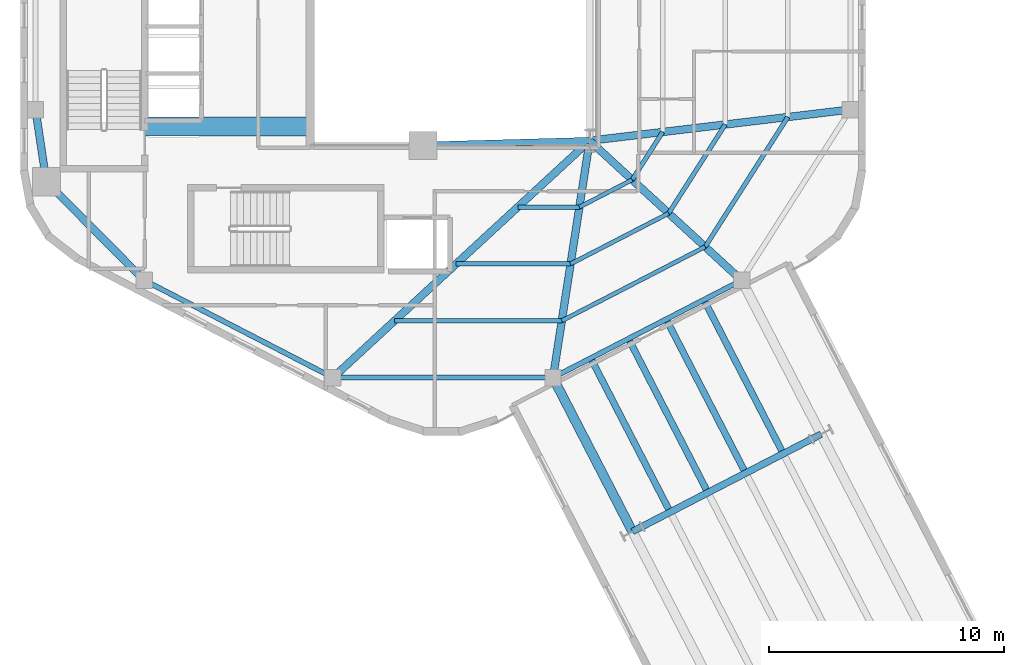
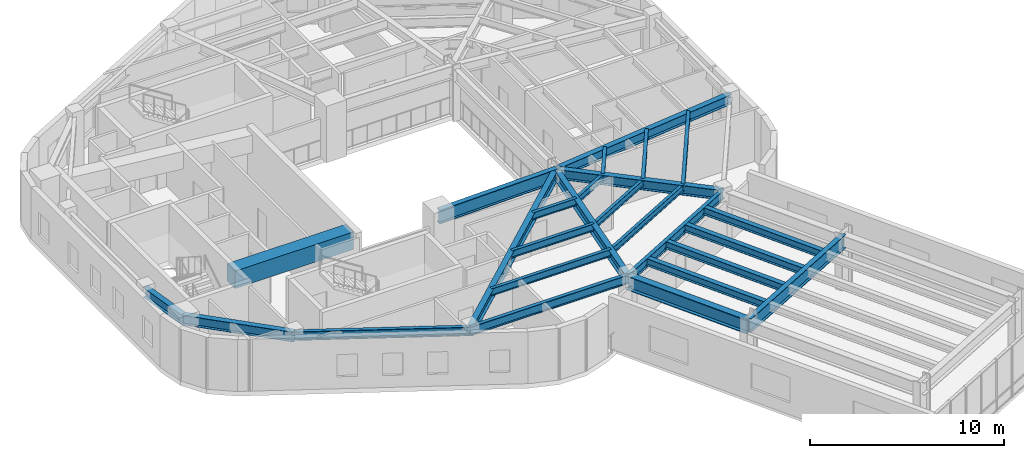
# One storey, part 3 of 10: 26 beams.
"""IFC4 building model written with IfcOpenShell, lengths in metres."""

import ifcopenshell
import ifcopenshell.guid

model = None  # the IFC model being written
_history = None  # IfcOwnerHistory: only IFC2X3 demands one
_inside = {}  # id of a spatial element -> (the spatial element, [elements in it])
_under = {}  # id of a project, library or spatial element -> (it, [spatial elements below it])
_declared = {}  # id of a project -> (the project, [libraries it declares])
_typed = {}  # id of a type object -> (the type object, [elements of that type])
_made_of = {}  # id of a material, layer set ... -> (it, [elements and type objects made of it])


def new_model(schema):
    """Start an empty IFC model of exactly this schema.

    Asked for "IFC4X3", IfcOpenShell would pick the latest addendum, in which some entities
    have other attributes; the version numbers below select the first issue.
    IFC2X3 requires an IfcOwnerHistory on every rooted entity: one is made here for all.
    """
    global model, _history
    if schema == "IFC4X3":
        model = ifcopenshell.file(schema_version=(4, 3, 0, 0))
    else:
        model = ifcopenshell.file(schema=schema)
    _inside.clear()
    _under.clear()
    _declared.clear()
    _typed.clear()
    _made_of.clear()
    _history = None
    if model.schema == "IFC2X3":
        org = make("IfcOrganization", Name="unknown")
        user = make(
            "IfcPersonAndOrganization",
            ThePerson=make("IfcPerson", FamilyName="unknown"),
            TheOrganization=org,
        )
        app = make(
            "IfcApplication",
            ApplicationDeveloper=org,
            Version="unknown",
            ApplicationFullName="unknown",
            ApplicationIdentifier="unknown",
        )
        _history = make(
            "IfcOwnerHistory",
            OwningUser=user,
            OwningApplication=app,
            ChangeAction="ADDED",
            CreationDate=0,
        )
    return model


def make(cls, **values):
    """One entity of the class cls with the attributes given. An attribute that is None is left unset."""
    return model.create_entity(
        cls, **{name: value for name, value in values.items() if value is not None}
    )


def rooted(cls, **values):
    """An entity with a GlobalId (a new one), such as an element, a storey or a relation."""
    return make(cls, GlobalId=ifcopenshell.guid.new(), OwnerHistory=_history, **values)


def si_unit(unit_type, name, prefix=None):
    """IfcSIUnit, for example si_unit("LENGTHUNIT", "METRE", prefix="MILLI")."""
    return make("IfcSIUnit", UnitType=unit_type, Prefix=prefix, Name=name)


def assignment(units):
    """IfcUnitAssignment: the units of a project."""
    return None if units is None else make("IfcUnitAssignment", Units=units)


def point(xyz):
    """IfcCartesianPoint."""
    return None if xyz is None else make("IfcCartesianPoint", Coordinates=xyz)


def direction(xyz):
    """IfcDirection."""
    return None if xyz is None else make("IfcDirection", DirectionRatios=xyz)


def frame(location, z_axis=None, x_axis=None):
    """IfcAxis2Placement3D, a coordinate frame: its origin and axes. An axis left out is left unset."""
    return make(
        "IfcAxis2Placement3D",
        Location=point(location),
        Axis=direction(z_axis),
        RefDirection=direction(x_axis),
    )


def frame_2d(location, x_axis=None):
    """IfcAxis2Placement2D, a coordinate frame in the plane: its origin and x axis."""
    return make(
        "IfcAxis2Placement2D", Location=point(location), RefDirection=direction(x_axis)
    )


def origin():
    """The frame at (0, 0, 0) with its axes left unset."""
    return frame((0.0, 0.0, 0.0))


def origin_2d():
    """The frame at (0, 0) in the plane with its x axis left unset."""
    return frame_2d((0.0, 0.0))


def place(relative_to, where):
    """IfcLocalPlacement: puts the frame where relative to a parent placement (None: the world)."""
    return make(
        "IfcLocalPlacement", PlacementRelTo=relative_to, RelativePlacement=where
    )


def context(
    kind, dimensions, precision=None, world=None, true_north=None, identifier=None
):
    """IfcGeometricRepresentationContext, for example the 3D "Model" context."""
    return make(
        "IfcGeometricRepresentationContext",
        ContextIdentifier=identifier,
        ContextType=kind,
        CoordinateSpaceDimension=dimensions,
        Precision=precision,
        WorldCoordinateSystem=world,
        TrueNorth=true_north,
    )


def subcontext(parent, identifier, kind, view, scale=None):
    """IfcGeometricRepresentationSubContext, for example "Body" below "Model"."""
    return make(
        "IfcGeometricRepresentationSubContext",
        ContextIdentifier=identifier,
        ContextType=kind,
        ParentContext=parent,
        TargetScale=scale,
        TargetView=view,
    )


def project(units=None, contexts=None):
    """IfcProject with its units and contexts."""
    return rooted(
        "IfcProject",
        Name="project",
        RepresentationContexts=contexts,
        UnitsInContext=assignment(units),
    )


def spatial(cls, under=None, at=None, **own):
    """A site, building, storey or space (cls), placed at a placement, below another one or the project."""
    s = rooted(cls, ObjectPlacement=at, **own)
    if under is not None:
        _under.setdefault(under.id(), (under, []))[1].append(s)
    return s


def profile(cls, at=None, kind="AREA", **sizes):
    """A parametric profile (cls). Its sizes go by their IFC names, for example OverallWidth=200.0."""
    return make(cls, ProfileType=kind, Position=at, **sizes)


def rectangle(**sizes):
    """IfcRectangleProfileDef."""
    return profile("IfcRectangleProfileDef", **sizes)


def i_section(**sizes):
    """IfcIShapeProfileDef."""
    return profile("IfcIShapeProfileDef", **sizes)


def extrude(swept, where, along, depth):
    """IfcExtrudedAreaSolid: the profile swept, set in the frame where, extruded along a direction by depth."""
    return make(
        "IfcExtrudedAreaSolid",
        SweptArea=swept,
        Position=where,
        ExtrudedDirection=direction(along),
        Depth=depth,
    )


def shape(context_of_items, identifier, shape_type, items):
    """IfcShapeRepresentation: the items that make up one representation, for example the "Body"."""
    return make(
        "IfcShapeRepresentation",
        ContextOfItems=context_of_items,
        RepresentationIdentifier=identifier,
        RepresentationType=shape_type,
        Items=items,
    )


def material(Name=None, Category=None):
    """IfcMaterial."""
    return make("IfcMaterial", Name=Name, Category=Category)


def material_profile(
    of_material, cross_section, Name=None, Category=None, Priority=None
):
    """IfcMaterialProfile: a cross section and its material."""
    return make(
        "IfcMaterialProfile",
        Name=Name,
        Material=of_material,
        Profile=cross_section,
        Priority=Priority,
        Category=Category,
    )


def profile_set(profiles, Name=None, composite=None):
    """IfcMaterialProfileSet."""
    return make(
        "IfcMaterialProfileSet",
        Name=Name,
        MaterialProfiles=profiles,
        CompositeProfile=composite,
    )


def made_of(thing, what):
    """Note that an element or type object is made of a material, layer set ...; save() writes the relation."""
    if what is not None:
        _made_of.setdefault(what.id(), (what, []))[1].append(thing)
    return thing


def type_object(cls, material=None, **own):
    """A type object (cls), such as IfcWallType, which elements share."""
    return made_of(rooted(cls, **own), material)


def element(
    cls,
    number,
    at=None,
    inside=None,
    cuts=None,
    type_object=None,
    material=None,
    context=None,
    identifier="Body",
    shape_type=None,
    held_by="IfcProductDefinitionShape",
    body=None,
    shapes=None,
    **own,
):
    """One element of the class cls, such as IfcWall. Its Tag is "e" and its number.

    at: its placement. inside: the storey or other place that contains it. cuts: it is an
    opening in that element (IfcRelVoidsElement). A single representation is given by context,
    identifier, shape_type and body (its items); several are given by shapes. held_by: the class
    of the entity that holds the representations. save() writes the other relations.
    """
    e = rooted(cls, Tag="e%d" % number, ObjectPlacement=at, **own)
    if body is not None:
        shapes = [shape(context, identifier, shape_type, body)]
    if shapes is not None:
        e.Representation = make(held_by, Representations=shapes)
    if inside is not None:
        _inside.setdefault(inside.id(), (inside, []))[1].append(e)
    if cuts is not None:
        rooted(
            "IfcRelVoidsElement", RelatingBuildingElement=cuts, RelatedOpeningElement=e
        )
    if type_object is not None:
        _typed.setdefault(type_object.id(), (type_object, []))[1].append(e)
    return made_of(e, material)


def aggregate(whole, parts):
    """IfcRelAggregates: a whole, such as a stair, and the parts it consists of."""
    return rooted("IfcRelAggregates", RelatingObject=whole, RelatedObjects=parts)


def save(model, path):
    """Write the relations noted so far, then the file.

    IfcRelAggregates (storeys below a building ...), IfcRelContainedInSpatialStructure (elements
    in a storey), IfcRelDefinesByType, IfcRelAssociatesMaterial and IfcRelDeclares: one each for
    every whole, place, type object, material and project.
    """
    for whole, parts in _under.values():
        aggregate(whole, parts)
    for where, things in _inside.values():
        rooted(
            "IfcRelContainedInSpatialStructure",
            RelatedElements=things,
            RelatingStructure=where,
        )
    for kind, things in _typed.values():
        rooted("IfcRelDefinesByType", RelatedObjects=things, RelatingType=kind)
    for what, things in _made_of.values():
        rooted("IfcRelAssociatesMaterial", RelatedObjects=things, RelatingMaterial=what)
    for by, libraries in _declared.values():
        rooted("IfcRelDeclares", RelatingContext=by, RelatedDefinitions=libraries)
    model.write(path)


model = new_model("IFC4")

# Units and contexts
model_context = context("Model", 3, precision=1e-05, world=origin(), true_north=direction((0.0, 1.0)))
body_context = subcontext(model_context, "Body", "Model", "MODEL_VIEW")
ifc_project = project(units=[si_unit("LENGTHUNIT", "METRE"), si_unit("AREAUNIT", "SQUARE_METRE"), si_unit("VOLUMEUNIT", "CUBIC_METRE"), si_unit("PLANEANGLEUNIT", "RADIAN"), si_unit("MASSUNIT", "GRAM", prefix="KILO"), si_unit("THERMODYNAMICTEMPERATUREUNIT", "KELVIN"), si_unit("POWERUNIT", "WATT")], contexts=[model_context])

# Site, building, storey
site_placement = place(None, origin())
site = spatial("IfcSite", under=ifc_project, at=site_placement, CompositionType="ELEMENT")
building_placement = place(site_placement, origin())
building = spatial("IfcBuilding", under=site, at=building_placement, Name="Skarre Station Tower", CompositionType="ELEMENT")
storey_placement = place(building_placement, frame((0.0, 0.0, 234.800048828125)))
storey = spatial("IfcBuildingStorey", under=building, at=storey_placement, Name="L64", CompositionType="ELEMENT", Elevation=234.800048828125)

# Beams
ifc_material_1 = material(Name="Concrete C70/85", Category="concrete")
ifc_material_profile_1 = material_profile(ifc_material_1, rectangle(XDim=0.800048828125, YDim=1.10009765625, at=origin_2d()), Name="Concrete C70/85")
ifc_profile_set_1 = profile_set([ifc_material_profile_1], Name="Concrete C70/85")
beam_type_1 = type_object("IfcBeamType", Name="RC Core Coupling Lintel 800x1100", PredefinedType="LINTEL", material=ifc_profile_set_1)
beam_1_placement = place(storey_placement, frame((20.489990234375, 19.260009765625, 2.7099609375), z_axis=(1.0, 0.0, 0.0), x_axis=(0.0, 1.0, 0.0)))
element("IfcBeam", 1, at=beam_1_placement, inside=storey, type_object=beam_type_1, Name="L64 South Core Coupling Lintel", PredefinedType="LINTEL", context=body_context, shape_type="SweptSolid", body=[
    extrude(rectangle(XDim=0.800048828125, YDim=1.10009765625, at=origin_2d()), origin(), (0.0, 0.0, 1.0), 7.06005859375),
])
ifc_material_2 = material(Name="Steel ASTM A992 Grade 50", Category="steel")
ifc_material_profile_2 = material_profile(ifc_material_2, i_section(OverallWidth=0.323974609375, OverallDepth=0.611083984375, WebThickness=0.012939453125, FlangeThickness=0.01904296875, at=origin_2d()), Name="Steel ASTM A992 Grade 50")
ifc_profile_set_2 = profile_set([ifc_material_profile_2], Name="Steel ASTM A992 Grade 50")
beam_type_2 = type_object("IfcBeamType", Name="Steel Beam W24X104", PredefinedType="BEAM", material=ifc_profile_set_2)
beam_2_placement = place(storey_placement, frame((16.300048828125, 16.89990234375, 2.954833984375), z_axis=(-0.148739188492, 0.988876460336, 0.0), x_axis=(-0.988876460336, -0.148739188492, 0.0)))
element("IfcBeam", 2, at=beam_2_placement, inside=storey, type_object=beam_type_2, Name="L64 Radial Floor Girder F2C2", PredefinedType="BEAM", context=body_context, shape_type="SweptSolid", body=[
    extrude(i_section(OverallWidth=0.323974609375, OverallDepth=0.611083984375, WebThickness=0.012939453125, FlangeThickness=0.01904296875, at=origin_2d()), origin(), (0.0, 0.0, 1.0), 3.11376953125),
])
beam_3_placement = place(storey_placement, frame((16.300048828125, 16.89990234375, 2.954833984375), z_axis=(0.704979413242, -0.709227768002, 0.0), x_axis=(0.709227768002, 0.704979413242, 0.0)))
element("IfcBeam", 3, at=beam_3_placement, inside=storey, type_object=beam_type_2, Name="L64 Radial Floor Girder F3C1", PredefinedType="BEAM", context=body_context, shape_type="SweptSolid", body=[
    extrude(i_section(OverallWidth=0.323974609375, OverallDepth=0.611083984375, WebThickness=0.012939453125, FlangeThickness=0.01904296875, at=origin_2d()), origin(), (0.0, 0.0, 1.0), 5.919189453125),
])
beam_4_placement = place(storey_placement, frame((39.449951171875, 18.64990234375, 2.954833984375), z_axis=(-0.734822935818, -0.678258986668, 0.0), x_axis=(0.678258986668, -0.734822935818, 0.0)))
element("IfcBeam", 4, at=beam_4_placement, inside=storey, type_object=beam_type_2, Name="L64 Radial Floor Girder F3C2", PredefinedType="BEAM", context=body_context, shape_type="SweptSolid", body=[
    extrude(i_section(OverallWidth=0.323974609375, OverallDepth=0.611083984375, WebThickness=0.012939453125, FlangeThickness=0.01904296875, at=origin_2d()), origin(), (0.0, 0.0, 1.0), 14.886474609375),
])
beam_5_placement = place(storey_placement, frame((39.449951171875, 18.64990234375, 2.954833984375), z_axis=(-0.152789762931, -0.988258715288, 0.0), x_axis=(0.988258715288, -0.152789762931, 0.0)))
element("IfcBeam", 5, at=beam_5_placement, inside=storey, type_object=beam_type_2, Name="L64 Radial Floor Girder F4C1", PredefinedType="BEAM", context=body_context, shape_type="SweptSolid", body=[
    extrude(i_section(OverallWidth=0.323974609375, OverallDepth=0.611083984375, WebThickness=0.012939453125, FlangeThickness=0.01904296875, at=origin_2d()), origin(), (0.0, 0.0, 1.0), 10.216796875),
])
beam_6_placement = place(storey_placement, frame((39.449951171875, 18.64990234375, 2.954833984375), z_axis=(0.736547671183, -0.676385635621, 0.0), x_axis=(0.676385635621, 0.736547671183, 0.0)))
element("IfcBeam", 6, at=beam_6_placement, inside=storey, type_object=beam_type_2, Name="L64 Radial Floor Girder F4C2", PredefinedType="BEAM", context=body_context, shape_type="SweptSolid", body=[
    extrude(i_section(OverallWidth=0.323974609375, OverallDepth=0.611083984375, WebThickness=0.012939453125, FlangeThickness=0.01904296875, at=origin_2d()), origin(), (0.0, 0.0, 1.0), 8.793701171875),
])
beam_7_placement = place(storey_placement, frame((39.449951171875, 18.64990234375, 2.954833984375), z_axis=(0.99292393128, 0.118752122891, 0.0), x_axis=(-0.118752122891, 0.99292393128, 0.0)))
element("IfcBeam", 7, at=beam_7_placement, inside=storey, type_object=beam_type_2, Name="L64 Radial Floor Girder F5C1", PredefinedType="BEAM", context=body_context, shape_type="SweptSolid", body=[
    extrude(i_section(OverallWidth=0.323974609375, OverallDepth=0.611083984375, WebThickness=0.012939453125, FlangeThickness=0.01904296875, at=origin_2d()), origin(), (0.0, 0.0, 1.0), 11.192138671875),
])
ifc_material_profile_3 = material_profile(ifc_material_2, i_section(OverallWidth=0.2919921875, OverallDepth=0.85888671875, WebThickness=0.01708984375, FlangeThickness=0.031005859375, at=origin_2d()), Name="Steel ASTM A992 Grade 50")
ifc_profile_set_3 = profile_set([ifc_material_profile_3], Name="Steel ASTM A992 Grade 50")
beam_type_3 = type_object("IfcBeamType", Name="Steel Beam W33X169", PredefinedType="BEAM", material=ifc_profile_set_3)
beam_8_placement = place(storey_placement, frame((32.35009765625, 18.449951171875, 2.8310546875), z_axis=(0.999603666405, 0.028151556095, 0.0), x_axis=(-0.028151556095, 0.999603666405, 0.0)))
element("IfcBeam", 8, at=beam_8_placement, inside=storey, type_object=beam_type_3, Name="L64 Atrium South Edge Girder", PredefinedType="BEAM", context=body_context, shape_type="SweptSolid", body=[
    extrude(i_section(OverallWidth=0.2919921875, OverallDepth=0.85888671875, WebThickness=0.01708984375, FlangeThickness=0.031005859375, at=origin_2d()), origin(), (0.0, 0.0, 1.0), 7.102783203125),
])
beam_9_placement = place(storey_placement, frame((41.27392578125, 1.9951171875, 2.8310546875), z_axis=(0.888610011727, 0.458663544505, 0.0), x_axis=(-0.458663544505, 0.888610011727, 0.0)))
element("IfcBeam", 9, at=beam_9_placement, inside=storey, type_object=beam_type_3, Name="L64 SB-5 Mid Transverse Girder", PredefinedType="BEAM", context=body_context, shape_type="SweptSolid", body=[
    extrude(i_section(OverallWidth=0.2919921875, OverallDepth=0.85888671875, WebThickness=0.01708984375, FlangeThickness=0.031005859375, at=origin_2d()), origin(), (0.0, 0.0, 1.0), 9.045654296875),
])
ifc_material_profile_4 = material_profile(ifc_material_2, i_section(OverallWidth=0.40087890625, OverallDepth=0.876953125, WebThickness=0.02197265625, FlangeThickness=0.0400390625, at=origin_2d()), Name="Steel ASTM A992 Grade 50")
ifc_profile_set_4 = profile_set([ifc_material_profile_4], Name="Steel ASTM A992 Grade 50")
beam_type_4 = type_object("IfcBeamType", Name="Steel Beam W33X263", PredefinedType="BEAM", material=ifc_profile_set_4)
beam_10_placement = place(storey_placement, frame((37.888916015625, 8.552978515625, 2.821044921875), z_axis=(0.45867578355, -0.888603694334, 0.0), x_axis=(0.888603694334, 0.45867578355, 0.0)))
element("IfcBeam", 10, at=beam_10_placement, inside=storey, type_object=beam_type_4, Name="L64 SB-5 Side 1 Inner Girder", PredefinedType="BEAM", context=body_context, shape_type="SweptSolid", body=[
    extrude(i_section(OverallWidth=0.40087890625, OverallDepth=0.876953125, WebThickness=0.02197265625, FlangeThickness=0.0400390625, at=origin_2d()), origin(), (0.0, 0.0, 1.0), 7.3798828125),
])
ifc_material_profile_5 = material_profile(ifc_material_2, i_section(OverallWidth=0.177978515625, OverallDepth=0.403076171875, WebThickness=0.008056640625, FlangeThickness=0.010986328125, at=origin_2d()), Name="Steel ASTM A992 Grade 50")
ifc_profile_set_5 = profile_set([ifc_material_profile_5], Name="Steel ASTM A992 Grade 50")
beam_type_5 = type_object("IfcBeamType", Name="Steel Joist W16X36", PredefinedType="JOIST", material=ifc_profile_set_5)
beam_11_placement = place(storey_placement, frame((39.012939453125, 15.822998046875, 3.057861328125), z_axis=(0.888569970054, 0.458741112522, 0.0), x_axis=(-0.458741112522, 0.888569970054, 0.0)))
element("IfcBeam", 11, at=beam_11_placement, inside=storey, type_object=beam_type_5, Name="L64 Auxiliary Composite Joist 15", PredefinedType="JOIST", context=body_context, shape_type="SweptSolid", body=[
    extrude(i_section(OverallWidth=0.177978515625, OverallDepth=0.403076171875, WebThickness=0.008056640625, FlangeThickness=0.010986328125, at=origin_2d()), origin(), (0.0, 0.0, 1.0), 2.533203125),
])
beam_12_placement = place(storey_placement, frame((38.637939453125, 13.39990234375, 3.057861328125), z_axis=(0.88866637077, 0.458554338614, 0.0), x_axis=(-0.458554338614, 0.88866637077, 0.0)))
element("IfcBeam", 12, at=beam_12_placement, inside=storey, type_object=beam_type_5, Name="L64 Auxiliary Composite Joist 16", PredefinedType="JOIST", context=body_context, shape_type="SweptSolid", body=[
    extrude(i_section(OverallWidth=0.177978515625, OverallDepth=0.403076171875, WebThickness=0.008056640625, FlangeThickness=0.010986328125, at=origin_2d()), origin(), (0.0, 0.0, 1.0), 4.703857421875),
])
beam_13_placement = place(storey_placement, frame((38.263916015625, 10.97607421875, 3.057861328125), z_axis=(0.888578636, 0.458724326414, 0.0), x_axis=(-0.458724326414, 0.888578636, 0.0)))
element("IfcBeam", 13, at=beam_13_placement, inside=storey, type_object=beam_type_5, Name="L64 Auxiliary Composite Joist 17", PredefinedType="JOIST", context=body_context, shape_type="SweptSolid", body=[
    extrude(i_section(OverallWidth=0.177978515625, OverallDepth=0.403076171875, WebThickness=0.008056640625, FlangeThickness=0.010986328125, at=origin_2d()), origin(), (0.0, 0.0, 1.0), 6.875244140625),
])
ifc_material_profile_6 = material_profile(ifc_material_2, i_section(OverallWidth=0.19091796875, OverallDepth=0.45703125, WebThickness=0.009033203125, FlangeThickness=0.013916015625, at=origin_2d()), Name="Steel ASTM A992 Grade 50")
ifc_profile_set_6 = profile_set([ifc_material_profile_6], Name="Steel ASTM A992 Grade 50")
beam_type_6 = type_object("IfcBeamType", Name="Steel Joist W18X50", PredefinedType="JOIST", material=ifc_profile_set_6)
beam_14_placement = place(storey_placement, frame((36.386962890625, 15.822998046875, 3.031982421875), z_axis=(1.0, 0.0, 0.0), x_axis=(0.0, 1.0, 0.0)))
element("IfcBeam", 14, at=beam_14_placement, inside=storey, type_object=beam_type_6, Name="L64 Auxiliary Composite Joist 12", PredefinedType="JOIST", context=body_context, shape_type="SweptSolid", body=[
    extrude(i_section(OverallWidth=0.19091796875, OverallDepth=0.45703125, WebThickness=0.009033203125, FlangeThickness=0.013916015625, at=origin_2d()), origin(), (0.0, 0.0, 1.0), 2.6259765625),
])
beam_15_placement = place(storey_placement, frame((33.761962890625, 13.39990234375, 3.031982421875), z_axis=(1.0, 0.0, 0.0), x_axis=(0.0, 1.0, 0.0)))
element("IfcBeam", 15, at=beam_15_placement, inside=storey, type_object=beam_type_6, Name="L64 Auxiliary Composite Joist 13", PredefinedType="JOIST", context=body_context, shape_type="SweptSolid", body=[
    extrude(i_section(OverallWidth=0.19091796875, OverallDepth=0.45703125, WebThickness=0.009033203125, FlangeThickness=0.013916015625, at=origin_2d()), origin(), (0.0, 0.0, 1.0), 4.8759765625),
])
beam_16_placement = place(storey_placement, frame((31.135986328125, 10.97607421875, 3.031982421875), z_axis=(1.0, 0.0, 0.0), x_axis=(0.0, 1.0, 0.0)))
element("IfcBeam", 16, at=beam_16_placement, inside=storey, type_object=beam_type_6, Name="L64 Auxiliary Composite Joist 14", PredefinedType="JOIST", context=body_context, shape_type="SweptSolid", body=[
    extrude(i_section(OverallWidth=0.19091796875, OverallDepth=0.45703125, WebThickness=0.009033203125, FlangeThickness=0.013916015625, at=origin_2d()), origin(), (0.0, 0.0, 1.0), 7.1279296875),
])
beam_17_placement = place(storey_placement, frame((41.263916015625, 16.985107421875, 3.031982421875), z_axis=(0.537437848622, 0.843303361116, 0.0), x_axis=(-0.843303361116, 0.537437848622, 0.0)))
element("IfcBeam", 17, at=beam_17_placement, inside=storey, type_object=beam_type_6, Name="L64 Auxiliary Composite Joist 18", PredefinedType="JOIST", context=body_context, shape_type="SweptSolid", body=[
    extrude(i_section(OverallWidth=0.19091796875, OverallDepth=0.45703125, WebThickness=0.009033203125, FlangeThickness=0.013916015625, at=origin_2d()), origin(), (0.0, 0.0, 1.0), 2.415283203125),
])
beam_18_placement = place(storey_placement, frame((42.818115234375, 15.556884765625, 3.031982421875), z_axis=(0.53731551376, 0.843381312737, 0.0), x_axis=(-0.843381312737, 0.53731551376, 0.0)))
element("IfcBeam", 18, at=beam_18_placement, inside=storey, type_object=beam_type_6, Name="L64 Auxiliary Composite Joist 19", PredefinedType="JOIST", context=body_context, shape_type="SweptSolid", body=[
    extrude(i_section(OverallWidth=0.19091796875, OverallDepth=0.45703125, WebThickness=0.009033203125, FlangeThickness=0.013916015625, at=origin_2d()), origin(), (0.0, 0.0, 1.0), 4.48681640625),
])
beam_19_placement = place(storey_placement, frame((44.373046875, 14.1298828125, 3.031982421875), z_axis=(0.537292232804, 0.843396144507, 0.0), x_axis=(-0.843396144507, 0.537292232804, 0.0)))
element("IfcBeam", 19, at=beam_19_placement, inside=storey, type_object=beam_type_6, Name="L64 Auxiliary Composite Joist 20", PredefinedType="JOIST", context=body_context, shape_type="SweptSolid", body=[
    extrude(i_section(OverallWidth=0.19091796875, OverallDepth=0.45703125, WebThickness=0.009033203125, FlangeThickness=0.013916015625, at=origin_2d()), origin(), (0.0, 0.0, 1.0), 6.556884765625),
])
ifc_material_profile_7 = material_profile(ifc_material_2, i_section(OverallWidth=0.280029296875, OverallDepth=0.462890625, WebThickness=0.010986328125, FlangeThickness=0.01708984375, at=origin_2d()), Name="Steel ASTM A992 Grade 50")
ifc_profile_set_7 = profile_set([ifc_material_profile_7], Name="Steel ASTM A992 Grade 50")
beam_type_7 = type_object("IfcBeamType", Name="Steel Joist W18X76", PredefinedType="JOIST", material=ifc_profile_set_7)
for number, where, z_axis, x_axis, name in (
    (20, (39.4970703125, 9.383056640625, 3.02783203125), (0.458648076258, -0.888617995623, 0.0), (0.888617995623, 0.458648076258, 0.0), "L64 SB-5 Inner Deck Joist 1"),
    (21, (41.10400390625, 10.212890625, 3.02783203125), (0.458688468876, -0.888597146361, 0.0), (0.888597146361, 0.458688468876, 0.0), "L64 SB-5 Inner Deck Joist 2"),
    (22, (42.7119140625, 11.0419921875, 3.02783203125), (0.458688468876, -0.888597146361, 0.0), (0.888597146361, 0.458688468876, 0.0), "L64 SB-5 Inner Deck Joist 3"),
    (23, (44.319091796875, 11.8720703125, 3.02783203125), (0.458648076258, -0.888617995623, 0.0), (0.888617995623, 0.458648076258, 0.0), "L64 SB-5 Inner Deck Joist 4"),
):
    element("IfcBeam", number, at=place(storey_placement, frame(where, z_axis=z_axis, x_axis=x_axis)), inside=storey, type_object=beam_type_7, Name=name, PredefinedType="JOIST", context=body_context, shape_type="SweptSolid", body=[
        extrude(i_section(OverallWidth=0.280029296875, OverallDepth=0.462890625, WebThickness=0.010986328125, FlangeThickness=0.01708984375, at=origin_2d()), origin(), (0.0, 0.0, 1.0), 7.236083984375),
    ])
ifc_material_profile_8 = material_profile(ifc_material_2, i_section(OverallWidth=0.214111328125, OverallDepth=0.549072265625, WebThickness=0.014892578125, FlangeThickness=0.02392578125, at=origin_2d()), Name="Steel ASTM A992 Grade 50")
ifc_profile_set_8 = profile_set([ifc_material_profile_8], Name="Steel ASTM A992 Grade 50")
beam_type_8 = type_object("IfcBeamType", Name="Steel Spandrel W21X93", PredefinedType="SPANDREL", material=ifc_profile_set_8)
beam_20_placement = place(storey_placement, frame((20.472900390625, 12.701904296875, 2.98583984375), z_axis=(0.888610011727, -0.458663544505, 0.0), x_axis=(0.458663544505, 0.888610011727, 0.0)))
element("IfcBeam", 24, at=beam_20_placement, inside=storey, type_object=beam_type_8, Name="L64 Facet Spandrel Beam 7", PredefinedType="SPANDREL", context=body_context, shape_type="SweptSolid", body=[
    extrude(i_section(OverallWidth=0.214111328125, OverallDepth=0.549072265625, WebThickness=0.014892578125, FlangeThickness=0.02392578125, at=origin_2d()), origin(), (0.0, 0.0, 1.0), 9.045654296875),
])
beam_21_placement = place(storey_placement, frame((28.510986328125, 8.552978515625, 2.98583984375), z_axis=(1.0, 0.0, 0.0), x_axis=(0.0, 1.0, 0.0)))
element("IfcBeam", 25, at=beam_21_placement, inside=storey, type_object=beam_type_8, Name="L64 Facet Spandrel Beam 8", PredefinedType="SPANDREL", context=body_context, shape_type="SweptSolid", body=[
    extrude(i_section(OverallWidth=0.214111328125, OverallDepth=0.549072265625, WebThickness=0.014892578125, FlangeThickness=0.02392578125, at=origin_2d()), origin(), (0.0, 0.0, 1.0), 9.3779296875),
])
beam_22_placement = place(storey_placement, frame((37.888916015625, 8.552978515625, 2.98583984375), z_axis=(0.888610011727, 0.458663544505, 0.0), x_axis=(-0.458663544505, 0.888610011727, 0.0)))
element("IfcBeam", 26, at=beam_22_placement, inside=storey, type_object=beam_type_8, Name="L64 Facet Spandrel Beam 9", PredefinedType="SPANDREL", context=body_context, shape_type="SweptSolid", body=[
    extrude(i_section(OverallWidth=0.214111328125, OverallDepth=0.549072265625, WebThickness=0.014892578125, FlangeThickness=0.02392578125, at=origin_2d()), origin(), (0.0, 0.0, 1.0), 9.045654296875),
])

save(model, "model.ifc")
